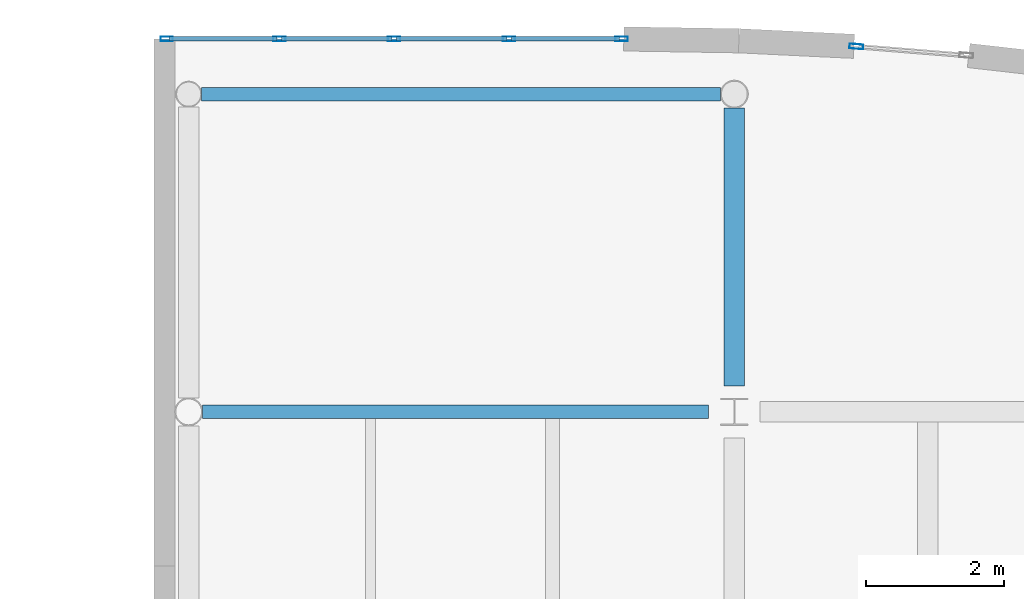
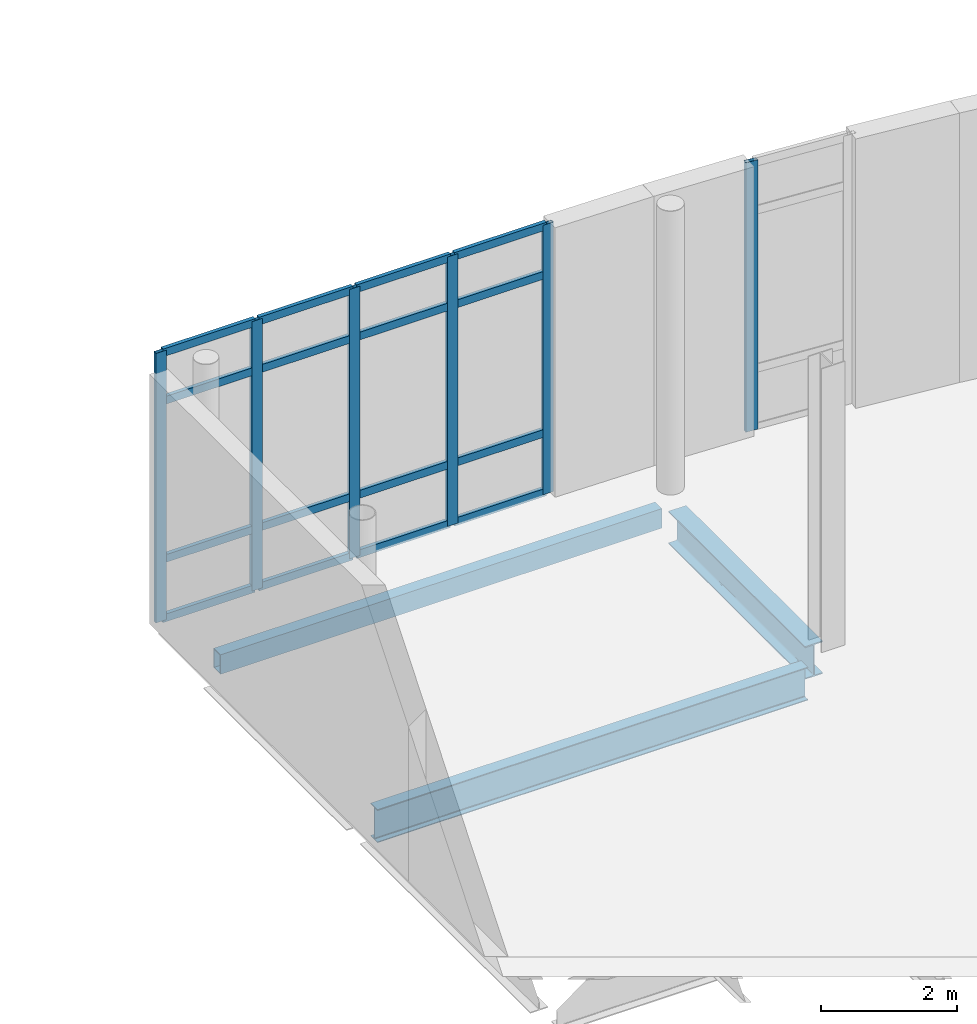
# One storey, part 36 of 104: 22 members, 3 beams, 2 elements without a shape of their own.
"""IFC4 building model written with IfcOpenShell, lengths in metres."""

from ifc_helpers import new_model, si_unit, direction, frame, origin, origin_2d, place, context, subcontext, project, spatial, hollow_rectangle, i_section, extrude, material, layer, layer_set, material_profile, profile_set, type_object, element, aggregate, save


model = new_model("IFC4")

# Units and contexts
model_context = context("Model", 3, precision=1e-05, world=origin(), true_north=direction((0.0, 1.0)))
body_context = subcontext(model_context, "Body", "Model", "MODEL_VIEW")
ifc_project = project(units=[si_unit("LENGTHUNIT", "METRE"), si_unit("AREAUNIT", "SQUARE_METRE"), si_unit("VOLUMEUNIT", "CUBIC_METRE"), si_unit("PLANEANGLEUNIT", "RADIAN"), si_unit("MASSUNIT", "GRAM", prefix="KILO"), si_unit("THERMODYNAMICTEMPERATUREUNIT", "KELVIN")], contexts=[model_context])

# Site, building, storey
site_placement = place(None, origin())
site = spatial("IfcSite", under=ifc_project, at=site_placement, CompositionType="ELEMENT")
building_placement = place(site_placement, origin())
building = spatial("IfcBuilding", under=site, at=building_placement, Name="Lustrewick Department Store", CompositionType="ELEMENT")
storey_placement = place(building_placement, frame((0.0, 0.0, 11.39990234375)))
storey = spatial("IfcBuildingStorey", under=building, at=storey_placement, Name="L03", CompositionType="ELEMENT", Elevation=11.39990234375)

# Curtain wall, member
ifc_material_1 = material(Name="Thermally broken aluminium 6063-T5", Category="aluminium")
ifc_layer_1 = layer(ifc_material_1, 0.199951171875, Name="Thermally broken aluminium 6063-T5")
ifc_layer_set_1 = layer_set([ifc_layer_1], Name="Thermally broken aluminium 6063-T5")
curtain_wall_type_1 = type_object("IfcCurtainWallType", Name="CW10", PredefinedType="NOTDEFINED", material=ifc_layer_set_1)
curtain_wall_1_placement = place(storey_placement, origin())
curtain_wall_1 = element("IfcCurtainWall", 1, at=curtain_wall_1_placement, inside=storey, type_object=curtain_wall_type_1, Name="L03 V4 Curtain Wall CW10", PredefinedType="NOTDEFINED")
ifc_material_profile_1 = material_profile(ifc_material_1, hollow_rectangle(XDim=0.070068359375, YDim=0.199951171875, WallThickness=0.00390625, at=origin_2d()), Name="ALU-M 70x200x4")
ifc_profile_set_1 = profile_set([ifc_material_profile_1], Name="Thermally broken aluminium 6063-T5")
member_type_1 = type_object("IfcMemberType", Name="CW10-M1", PredefinedType="MULLION", material=ifc_profile_set_1)
member_1_placement = place(storey_placement, frame((119.36669921875, 111.490478515625, 0.0), z_axis=(0.0, 0.0, 1.0), x_axis=(-0.08009096545, -0.996787558737, 0.0)))
member_1 = element("IfcMember", 2, at=member_1_placement, type_object=member_type_1, Name="CW10 mullion 2", PredefinedType="MULLION", context=body_context, shape_type="SweptSolid", body=[
    extrude(hollow_rectangle(XDim=0.070068359375, YDim=0.199951171875, WallThickness=0.00390625, at=origin_2d()), origin(), (0.0, 0.0, 1.0), 4.84521484375),
])
aggregate(curtain_wall_1, [member_1])

# Curtain wall, members
ifc_layer_2 = layer(ifc_material_1, 0.179931640625, Name="Thermally broken aluminium 6063-T5")
ifc_layer_set_2 = layer_set([ifc_layer_2], Name="Thermally broken aluminium 6063-T5")
curtain_wall_type_2 = type_object("IfcCurtainWallType", Name="CW11", PredefinedType="NOTDEFINED", material=ifc_layer_set_2)
curtain_wall_2_placement = place(storey_placement, origin())
curtain_wall_2 = element("IfcCurtainWall", 3, at=curtain_wall_2_placement, inside=storey, type_object=curtain_wall_type_2, Name="L03 V4 Curtain Wall CW11", PredefinedType="NOTDEFINED")
ifc_material_profile_2 = material_profile(ifc_material_1, hollow_rectangle(XDim=0.06494140625, YDim=0.179931640625, WallThickness=0.00390625, at=origin_2d()), Name="ALU-M 65x180x4")
ifc_profile_set_2 = profile_set([ifc_material_profile_2], Name="Thermally broken aluminium 6063-T5")
member_type_2 = type_object("IfcMemberType", Name="CW11-M1", PredefinedType="MULLION", material=ifc_profile_set_2)
member_2_placement = place(storey_placement, frame((115.967529296875, 111.60009765625, 0.0), z_axis=(0.0, 0.0, 1.0), x_axis=(0.0, -1.0, 0.0)))
member_2 = element("IfcMember", 4, at=member_2_placement, type_object=member_type_2, Name="CW11 mullion 1", PredefinedType="MULLION", context=body_context, shape_type="SweptSolid", body=[
    extrude(hollow_rectangle(XDim=0.06494140625, YDim=0.179931640625, WallThickness=0.00390625, at=origin_2d()), origin(), (0.0, 0.0, 1.0), 4.84521484375),
])
member_3_placement = place(storey_placement, frame((114.33740234375, 111.60009765625, 0.0), z_axis=(0.0, 0.0, 1.0), x_axis=(0.0, -1.0, 0.0)))
member_3 = element("IfcMember", 5, at=member_3_placement, type_object=member_type_2, Name="CW11 mullion 2", PredefinedType="MULLION", context=body_context, shape_type="SweptSolid", body=[
    extrude(hollow_rectangle(XDim=0.06494140625, YDim=0.179931640625, WallThickness=0.00390625, at=origin_2d()), origin(), (0.0, 0.0, 1.0), 4.84521484375),
])
member_4_placement = place(storey_placement, frame((112.675048828125, 111.60009765625, 0.0), z_axis=(0.0, 0.0, 1.0), x_axis=(0.0, -1.0, 0.0)))
member_4 = element("IfcMember", 6, at=member_4_placement, type_object=member_type_2, Name="CW11 mullion 3", PredefinedType="MULLION", context=body_context, shape_type="SweptSolid", body=[
    extrude(hollow_rectangle(XDim=0.06494140625, YDim=0.179931640625, WallThickness=0.00390625, at=origin_2d()), origin(), (0.0, 0.0, 1.0), 4.84521484375),
])
member_5_placement = place(storey_placement, frame((111.012451171875, 111.60009765625, 0.0), z_axis=(0.0, 0.0, 1.0), x_axis=(0.0, -1.0, 0.0)))
member_5 = element("IfcMember", 7, at=member_5_placement, type_object=member_type_2, Name="CW11 mullion 4", PredefinedType="MULLION", context=body_context, shape_type="SweptSolid", body=[
    extrude(hollow_rectangle(XDim=0.06494140625, YDim=0.179931640625, WallThickness=0.00390625, at=origin_2d()), origin(), (0.0, 0.0, 1.0), 4.84521484375),
])
member_6_placement = place(storey_placement, frame((109.382568359375, 111.60009765625, 0.0), z_axis=(0.0, 0.0, 1.0), x_axis=(0.0, -1.0, 0.0)))
member_6 = element("IfcMember", 8, at=member_6_placement, type_object=member_type_2, Name="CW11 mullion 5", PredefinedType="MULLION", context=body_context, shape_type="SweptSolid", body=[
    extrude(hollow_rectangle(XDim=0.06494140625, YDim=0.179931640625, WallThickness=0.00390625, at=origin_2d()), origin(), (0.0, 0.0, 1.0), 4.84521484375),
])
ifc_material_profile_3 = material_profile(ifc_material_1, hollow_rectangle(XDim=0.06494140625, YDim=0.139892578125, WallThickness=0.00341796875, at=origin_2d()), Name="ALU-T 65x140x3.5")
ifc_profile_set_3 = profile_set([ifc_material_profile_3], Name="Thermally broken aluminium 6063-T5")
member_type_3 = type_object("IfcMemberType", Name="CW11-T1", PredefinedType="USERDEFINED", material=ifc_profile_set_3)
member_7_placement = place(storey_placement, frame((115.93505859375, 111.60009765625, 0.03271484375), z_axis=(-1.0, 0.0, 0.0), x_axis=(0.0, -1.0, 0.0)))
member_7 = element("IfcMember", 9, at=member_7_placement, type_object=member_type_3, Name="CW11 transom 1.1", ObjectType="TRANSOM", PredefinedType="USERDEFINED", context=body_context, shape_type="SweptSolid", body=[
    extrude(hollow_rectangle(XDim=0.06494140625, YDim=0.139892578125, WallThickness=0.00341796875, at=origin_2d()), origin(), (0.0, 0.0, 1.0), 1.56494140625),
])
member_8_placement = place(storey_placement, frame((115.93505859375, 111.60009765625, 1.10009765625), z_axis=(-1.0, 0.0, 0.0), x_axis=(0.0, -1.0, 0.0)))
member_8 = element("IfcMember", 10, at=member_8_placement, type_object=member_type_3, Name="CW11 transom 1.2", ObjectType="TRANSOM", PredefinedType="USERDEFINED", context=body_context, shape_type="SweptSolid", body=[
    extrude(hollow_rectangle(XDim=0.06494140625, YDim=0.139892578125, WallThickness=0.00341796875, at=origin_2d()), origin(), (0.0, 0.0, 1.0), 1.56494140625),
])
member_9_placement = place(storey_placement, frame((115.93505859375, 111.60009765625, 3.945068359375), z_axis=(-1.0, 0.0, 0.0), x_axis=(0.0, -1.0, 0.0)))
member_9 = element("IfcMember", 11, at=member_9_placement, type_object=member_type_3, Name="CW11 transom 1.3", ObjectType="TRANSOM", PredefinedType="USERDEFINED", context=body_context, shape_type="SweptSolid", body=[
    extrude(hollow_rectangle(XDim=0.06494140625, YDim=0.139892578125, WallThickness=0.00341796875, at=origin_2d()), origin(), (0.0, 0.0, 1.0), 1.56494140625),
])
member_10_placement = place(storey_placement, frame((115.93505859375, 111.60009765625, 4.8125), z_axis=(-1.0, 0.0, 0.0), x_axis=(0.0, -1.0, 0.0)))
member_10 = element("IfcMember", 12, at=member_10_placement, type_object=member_type_3, Name="CW11 transom 1.4", ObjectType="TRANSOM", PredefinedType="USERDEFINED", context=body_context, shape_type="SweptSolid", body=[
    extrude(hollow_rectangle(XDim=0.06494140625, YDim=0.139892578125, WallThickness=0.00341796875, at=origin_2d()), origin(), (0.0, 0.0, 1.0), 1.56494140625),
])
member_11_placement = place(storey_placement, frame((114.304931640625, 111.60009765625, 0.03271484375), z_axis=(-1.0, 0.0, 0.0), x_axis=(0.0, -1.0, 0.0)))
member_11 = element("IfcMember", 13, at=member_11_placement, type_object=member_type_3, Name="CW11 transom 2.1", ObjectType="TRANSOM", PredefinedType="USERDEFINED", context=body_context, shape_type="SweptSolid", body=[
    extrude(hollow_rectangle(XDim=0.06494140625, YDim=0.139892578125, WallThickness=0.00341796875, at=origin_2d()), origin(), (0.0, 0.0, 1.0), 1.597412109375),
])
member_12_placement = place(storey_placement, frame((114.304931640625, 111.60009765625, 1.10009765625), z_axis=(-1.0, 0.0, 0.0), x_axis=(0.0, -1.0, 0.0)))
member_12 = element("IfcMember", 14, at=member_12_placement, type_object=member_type_3, Name="CW11 transom 2.2", ObjectType="TRANSOM", PredefinedType="USERDEFINED", context=body_context, shape_type="SweptSolid", body=[
    extrude(hollow_rectangle(XDim=0.06494140625, YDim=0.139892578125, WallThickness=0.00341796875, at=origin_2d()), origin(), (0.0, 0.0, 1.0), 1.597412109375),
])
member_13_placement = place(storey_placement, frame((114.304931640625, 111.60009765625, 3.945068359375), z_axis=(-1.0, 0.0, 0.0), x_axis=(0.0, -1.0, 0.0)))
member_13 = element("IfcMember", 15, at=member_13_placement, type_object=member_type_3, Name="CW11 transom 2.3", ObjectType="TRANSOM", PredefinedType="USERDEFINED", context=body_context, shape_type="SweptSolid", body=[
    extrude(hollow_rectangle(XDim=0.06494140625, YDim=0.139892578125, WallThickness=0.00341796875, at=origin_2d()), origin(), (0.0, 0.0, 1.0), 1.597412109375),
])
member_14_placement = place(storey_placement, frame((114.304931640625, 111.60009765625, 4.8125), z_axis=(-1.0, 0.0, 0.0), x_axis=(0.0, -1.0, 0.0)))
member_14 = element("IfcMember", 16, at=member_14_placement, type_object=member_type_3, Name="CW11 transom 2.4", ObjectType="TRANSOM", PredefinedType="USERDEFINED", context=body_context, shape_type="SweptSolid", body=[
    extrude(hollow_rectangle(XDim=0.06494140625, YDim=0.139892578125, WallThickness=0.00341796875, at=origin_2d()), origin(), (0.0, 0.0, 1.0), 1.597412109375),
])
member_15_placement = place(storey_placement, frame((112.642578125, 111.60009765625, 0.03271484375), z_axis=(-1.0, 0.0, 0.0), x_axis=(0.0, -1.0, 0.0)))
member_15 = element("IfcMember", 17, at=member_15_placement, type_object=member_type_3, Name="CW11 transom 3.1", ObjectType="TRANSOM", PredefinedType="USERDEFINED", context=body_context, shape_type="SweptSolid", body=[
    extrude(hollow_rectangle(XDim=0.06494140625, YDim=0.139892578125, WallThickness=0.00341796875, at=origin_2d()), origin(), (0.0, 0.0, 1.0), 1.59765625),
])
member_16_placement = place(storey_placement, frame((112.642578125, 111.60009765625, 1.10009765625), z_axis=(-1.0, 0.0, 0.0), x_axis=(0.0, -1.0, 0.0)))
member_16 = element("IfcMember", 18, at=member_16_placement, type_object=member_type_3, Name="CW11 transom 3.2", ObjectType="TRANSOM", PredefinedType="USERDEFINED", context=body_context, shape_type="SweptSolid", body=[
    extrude(hollow_rectangle(XDim=0.06494140625, YDim=0.139892578125, WallThickness=0.00341796875, at=origin_2d()), origin(), (0.0, 0.0, 1.0), 1.59765625),
])
member_17_placement = place(storey_placement, frame((112.642578125, 111.60009765625, 3.945068359375), z_axis=(-1.0, 0.0, 0.0), x_axis=(0.0, -1.0, 0.0)))
member_17 = element("IfcMember", 19, at=member_17_placement, type_object=member_type_3, Name="CW11 transom 3.3", ObjectType="TRANSOM", PredefinedType="USERDEFINED", context=body_context, shape_type="SweptSolid", body=[
    extrude(hollow_rectangle(XDim=0.06494140625, YDim=0.139892578125, WallThickness=0.00341796875, at=origin_2d()), origin(), (0.0, 0.0, 1.0), 1.59765625),
])
member_18_placement = place(storey_placement, frame((112.642578125, 111.60009765625, 4.8125), z_axis=(-1.0, 0.0, 0.0), x_axis=(0.0, -1.0, 0.0)))
member_18 = element("IfcMember", 20, at=member_18_placement, type_object=member_type_3, Name="CW11 transom 3.4", ObjectType="TRANSOM", PredefinedType="USERDEFINED", context=body_context, shape_type="SweptSolid", body=[
    extrude(hollow_rectangle(XDim=0.06494140625, YDim=0.139892578125, WallThickness=0.00341796875, at=origin_2d()), origin(), (0.0, 0.0, 1.0), 1.59765625),
])
member_19_placement = place(storey_placement, frame((110.97998046875, 111.60009765625, 0.03271484375), z_axis=(-1.0, 0.0, 0.0), x_axis=(0.0, -1.0, 0.0)))
member_19 = element("IfcMember", 21, at=member_19_placement, type_object=member_type_3, Name="CW11 transom 4.1", ObjectType="TRANSOM", PredefinedType="USERDEFINED", context=body_context, shape_type="SweptSolid", body=[
    extrude(hollow_rectangle(XDim=0.06494140625, YDim=0.139892578125, WallThickness=0.00341796875, at=origin_2d()), origin(), (0.0, 0.0, 1.0), 1.56494140625),
])
member_20_placement = place(storey_placement, frame((110.97998046875, 111.60009765625, 1.10009765625), z_axis=(-1.0, 0.0, 0.0), x_axis=(0.0, -1.0, 0.0)))
member_20 = element("IfcMember", 22, at=member_20_placement, type_object=member_type_3, Name="CW11 transom 4.2", ObjectType="TRANSOM", PredefinedType="USERDEFINED", context=body_context, shape_type="SweptSolid", body=[
    extrude(hollow_rectangle(XDim=0.06494140625, YDim=0.139892578125, WallThickness=0.00341796875, at=origin_2d()), origin(), (0.0, 0.0, 1.0), 1.56494140625),
])
member_21_placement = place(storey_placement, frame((110.97998046875, 111.60009765625, 3.945068359375), z_axis=(-1.0, 0.0, 0.0), x_axis=(0.0, -1.0, 0.0)))
member_21 = element("IfcMember", 23, at=member_21_placement, type_object=member_type_3, Name="CW11 transom 4.3", ObjectType="TRANSOM", PredefinedType="USERDEFINED", context=body_context, shape_type="SweptSolid", body=[
    extrude(hollow_rectangle(XDim=0.06494140625, YDim=0.139892578125, WallThickness=0.00341796875, at=origin_2d()), origin(), (0.0, 0.0, 1.0), 1.56494140625),
])
member_22_placement = place(storey_placement, frame((110.97998046875, 111.60009765625, 4.8125), z_axis=(-1.0, 0.0, 0.0), x_axis=(0.0, -1.0, 0.0)))
member_22 = element("IfcMember", 24, at=member_22_placement, type_object=member_type_3, Name="CW11 transom 4.4", ObjectType="TRANSOM", PredefinedType="USERDEFINED", context=body_context, shape_type="SweptSolid", body=[
    extrude(hollow_rectangle(XDim=0.06494140625, YDim=0.139892578125, WallThickness=0.00341796875, at=origin_2d()), origin(), (0.0, 0.0, 1.0), 1.56494140625),
])
aggregate(curtain_wall_2, [member_2, member_3, member_4, member_5, member_6, member_7, member_8, member_9, member_10, member_11, member_12, member_13, member_14, member_15, member_16, member_17, member_18, member_19, member_20, member_21, member_22])

# Beams
ifc_material_2 = material(Name="Structural steel Q355B", Category="steel")
ifc_material_profile_4 = material_profile(ifc_material_2, i_section(OverallWidth=0.300048828125, OverallDepth=0.587890625, WebThickness=0.011962890625, FlangeThickness=0.02001953125, FilletRadius=0.02392578125, at=origin_2d()), Name="HM 588x300x12x20")
ifc_profile_set_4 = profile_set([ifc_material_profile_4], Name="Structural steel Q355B")
beam_type_1 = type_object("IfcBeamType", Name="G11", PredefinedType="BEAM", material=ifc_profile_set_4)
beam_1_placement = place(storey_placement, frame((117.60009765625, 106.574951171875, -0.548828125), z_axis=(0.0, 1.0, 0.0), x_axis=(-1.0, 0.0, 0.0)))
element("IfcBeam", 25, at=beam_1_placement, inside=storey, type_object=beam_type_1, Name="L03 V4 Girder G11", PredefinedType="BEAM", context=body_context, shape_type="SweptSolid", body=[
    extrude(i_section(OverallWidth=0.300048828125, OverallDepth=0.587890625, WebThickness=0.011962890625, FlangeThickness=0.02001953125, FilletRadius=0.02392578125, at=origin_2d()), origin(), (0.0, 0.0, 1.0), 4.02197265625),
])
ifc_material_profile_5 = material_profile(ifc_material_2, i_section(OverallWidth=0.198974609375, OverallDepth=0.595947265625, WebThickness=0.010009765625, FlangeThickness=0.014892578125, FilletRadius=0.01806640625, at=origin_2d()), Name="HN 596x199x10x15")
ifc_profile_set_5 = profile_set([ifc_material_profile_5], Name="Structural steel Q355B")
beam_type_2 = type_object("IfcBeamType", Name="G15", PredefinedType="BEAM", material=ifc_profile_set_5)
beam_2_placement = place(storey_placement, frame((109.903076171875, 106.199951171875, -0.552978515625), z_axis=(1.0, 0.0, 0.0), x_axis=(0.0, 1.0, 0.0)))
element("IfcBeam", 26, at=beam_2_placement, inside=storey, type_object=beam_type_2, Name="L03 V4 Girder G15", PredefinedType="BEAM", context=body_context, shape_type="SweptSolid", body=[
    extrude(i_section(OverallWidth=0.198974609375, OverallDepth=0.595947265625, WebThickness=0.010009765625, FlangeThickness=0.014892578125, FilletRadius=0.01806640625, at=origin_2d()), origin(), (0.0, 0.0, 1.0), 7.322021484375),
])
ifc_material_3 = material(Name="Structural steel Q355C", Category="steel")
ifc_material_profile_6 = material_profile(ifc_material_3, hollow_rectangle(XDim=0.199951171875, YDim=0.35009765625, WallThickness=0.011962890625, at=origin_2d()), Name="RHS 350x200x12")
ifc_profile_set_6 = profile_set([ifc_material_profile_6], Name="Structural steel Q355C")
beam_type_3 = type_object("IfcBeamType", Name="SP03", PredefinedType="SPANDREL", material=ifc_profile_set_6)
beam_3_placement = place(storey_placement, frame((109.888427734375, 110.800048828125, -0.429931640625), z_axis=(1.0, 0.0, 0.0), x_axis=(0.0, 1.0, 0.0)))
element("IfcBeam", 27, at=beam_3_placement, inside=storey, type_object=beam_type_3, Name="L03 V4 Girder SP03", PredefinedType="SPANDREL", context=body_context, shape_type="SweptSolid", body=[
    extrude(hollow_rectangle(XDim=0.199951171875, YDim=0.35009765625, WallThickness=0.011962890625, at=origin_2d()), origin(), (0.0, 0.0, 1.0), 7.508544921875),
])

save(model, "model.ifc")
